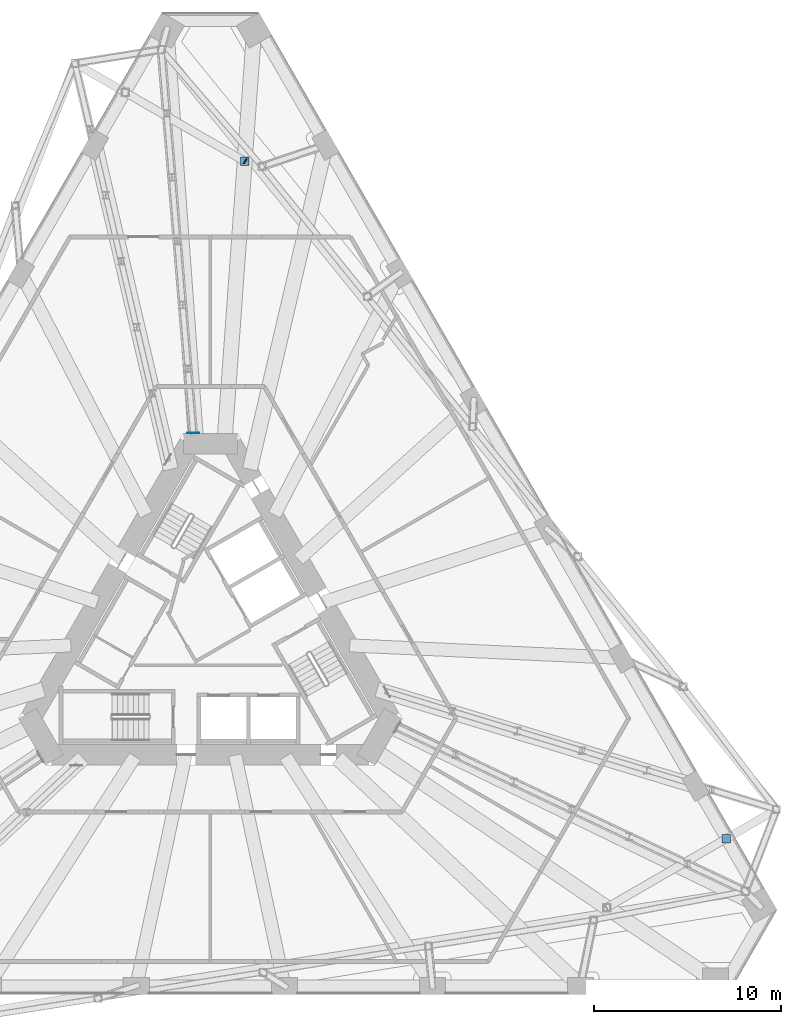
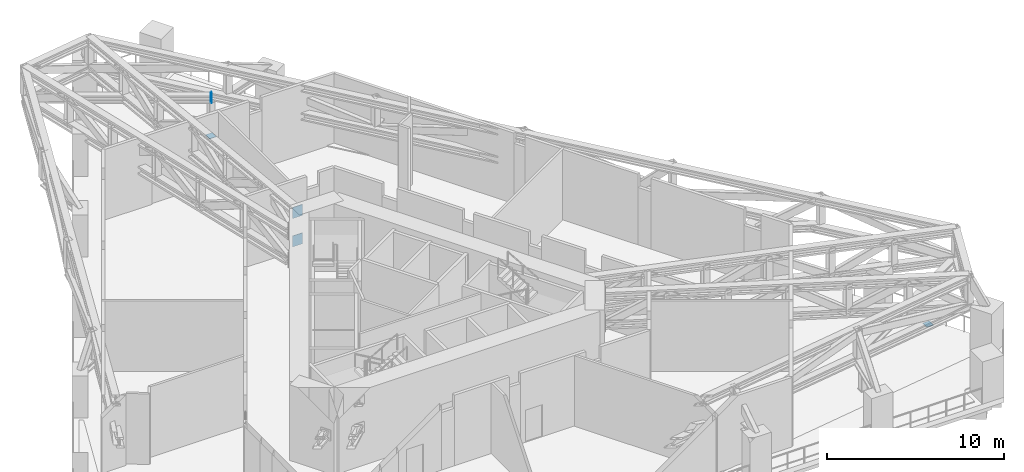
# One storey, part 15 of 20: 5 discrete accessories.
"""IFC4 building model written with IfcOpenShell, lengths in metres."""

from ifc_helpers import new_model, si_unit, direction, frame, origin, origin_2d, place, context, subcontext, project, spatial, rectangle, extrude, material, layer, layer_set, type_object, element, save


model = new_model("IFC4")

# Units and contexts
model_context = context("Model", 3, precision=1e-05, world=origin(), true_north=direction((0.0, 1.0)))
body_context = subcontext(model_context, "Body", "Model", "MODEL_VIEW")
ifc_project = project(units=[si_unit("LENGTHUNIT", "METRE"), si_unit("AREAUNIT", "SQUARE_METRE"), si_unit("VOLUMEUNIT", "CUBIC_METRE"), si_unit("PLANEANGLEUNIT", "RADIAN"), si_unit("MASSUNIT", "GRAM", prefix="KILO")], contexts=[model_context])

# Site, building, storey
site_placement = place(None, origin())
site = spatial("IfcSite", under=ifc_project, at=site_placement, CompositionType="ELEMENT")
building_placement = place(site_placement, origin())
building = spatial("IfcBuilding", under=site, at=building_placement, Name="Tramontana Tower", CompositionType="ELEMENT")
storey_placement = place(building_placement, frame((0.0, 0.0, 46.0)))
storey = spatial("IfcBuildingStorey", under=building, at=storey_placement, Name="L09", CompositionType="ELEMENT", Elevation=46.0)

# Discrete accessories
ifc_material_1 = material(Name="Steel ASTM A572 Grade 50", Category="steel")
ifc_layer_1 = layer(ifc_material_1, 0.0400390625)
ifc_layer_set_1 = layer_set([ifc_layer_1], Name="Base plate 450X450X40")
discrete_accessory_type_1 = type_object("IfcDiscreteAccessoryType", Name="Base plate 450X450X40", PredefinedType="ANCHORPLATE", material=ifc_layer_set_1)
for number, where, z_axis, x_axis, name in (
    (1, (1.838134765625, 25.54345703125, 0.0), (0.0, 0.0, 1.0), (1.0, 0.0, 0.0), "Transfer truss post base plate C1K1.2"),
    (2, (27.5849609375, -10.678466796875, 0.0), (0.0, 0.0, 1.0), (1.0, 0.0, 0.0), "Transfer truss post base plate C1K5.1"),
):
    element("IfcDiscreteAccessory", number, at=place(storey_placement, frame(where, z_axis=z_axis, x_axis=x_axis)), inside=storey, type_object=discrete_accessory_type_1, Name=name, PredefinedType="ANCHORPLATE", context=body_context, shape_type="SweptSolid", body=[
        extrude(rectangle(XDim=0.449951171875, YDim=0.449951171875, at=origin_2d()), origin(), (0.0, 0.0, 1.0), 0.0400390625),
    ])
ifc_material_2 = material(Name="Steel ASTM A572 Grade 50", Category="steel")
ifc_layer_2 = layer(ifc_material_2, 0.0400390625)
ifc_layer_set_2 = layer_set([ifc_layer_2], Name="Cast-in plate 650X750X40")
discrete_accessory_type_2 = type_object("IfcDiscreteAccessoryType", Name="Cast-in plate 650X750X40", PredefinedType="ANCHORPLATE", material=ifc_layer_set_2)
for number, where, z_axis, x_axis, name in (
    (3, (-0.914794921875, 11.02001953125, 2.274169921875), (0.0, 0.0, 1.0), (-1.0, 0.0, 0.0), "Cast-in plate Transfer truss 5 bottom chord"),
    (4, (-0.914794921875, 11.02001953125, 4.225830078125), (0.0, 0.0, 1.0), (-1.0, 0.0, 0.0), "Cast-in plate Transfer truss 5 top chord"),
):
    element("IfcDiscreteAccessory", number, at=place(storey_placement, frame(where, z_axis=z_axis, x_axis=x_axis)), inside=storey, type_object=discrete_accessory_type_2, Name=name, PredefinedType="ANCHORPLATE", context=body_context, shape_type="SweptSolid", body=[
        extrude(rectangle(XDim=0.64990234375, YDim=0.0400390625, at=origin_2d()), origin(), (0.0, 0.0, 1.0), 0.75),
    ])
ifc_material_3 = material(Name="Steel ASTM A572 Grade 50", Category="steel")
ifc_layer_3 = layer(ifc_material_3, 0.0400390625)
ifc_layer_set_3 = layer_set([ifc_layer_3], Name="End plate 432X498X40")
discrete_accessory_type_3 = type_object("IfcDiscreteAccessoryType", Name="End plate 432X498X40", PredefinedType="ANCHORPLATE", material=ifc_layer_set_3)
discrete_accessory_placement = place(storey_placement, frame((1.85546875, 25.533447265625, 2.39990234375), z_axis=(0.0, 0.0, 1.0), x_axis=(-0.5, -0.866025403784, 0.0)))
element("IfcDiscreteAccessory", 5, at=discrete_accessory_placement, inside=storey, type_object=discrete_accessory_type_3, Name="Transfer truss girder end plate C1K1.2", PredefinedType="ANCHORPLATE", context=body_context, shape_type="SweptSolid", body=[
    extrude(rectangle(XDim=0.431884765625, YDim=0.0400390625, at=origin_2d()), origin(), (0.0, 0.0, 1.0), 0.49853515625),
])

save(model, "model.ifc")
